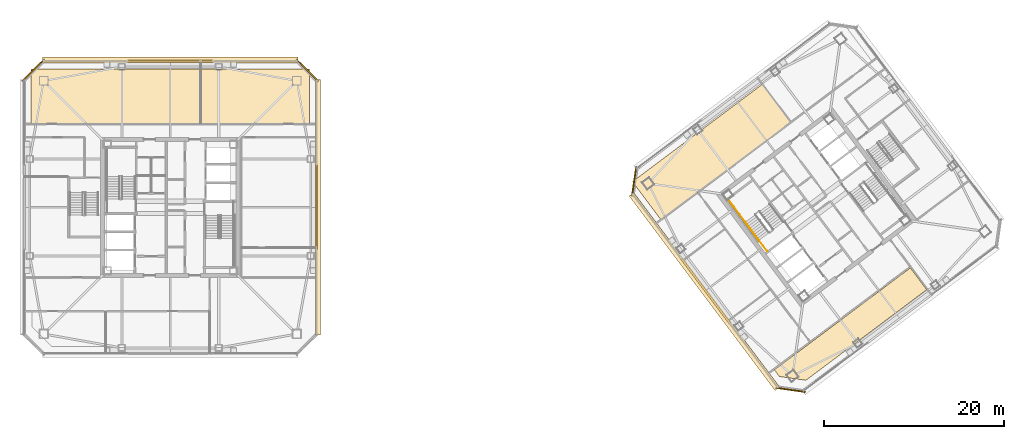
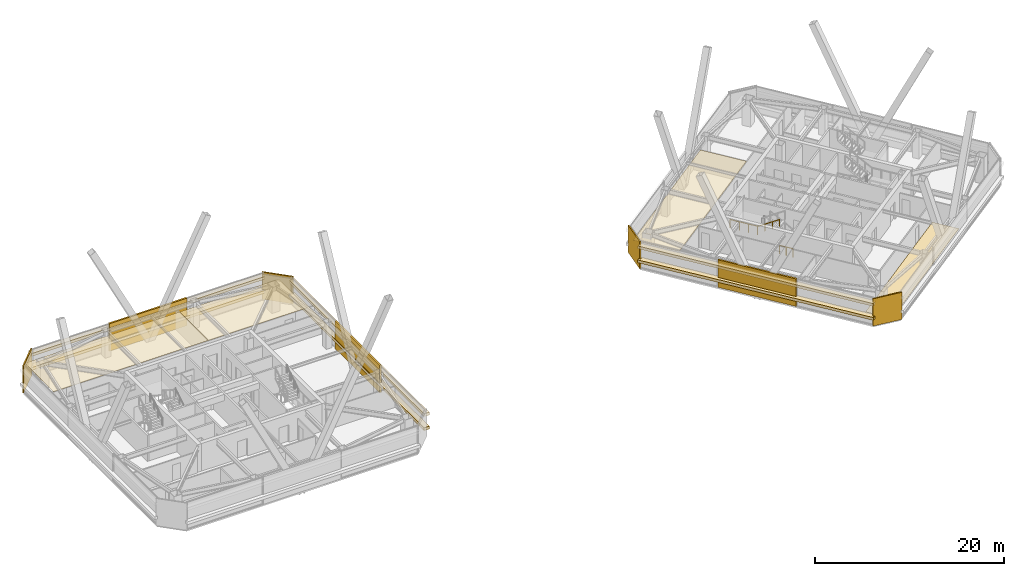
# One storey, part 44 of 47: 17 coverings, 3 railings.
"""IFC4 building model written with IfcOpenShell, lengths in metres."""

from ifc_helpers import new_model, si_unit, direction, frame, origin, origin_2d, place, context, subcontext, project, spatial, polyline, rectangle, outline, extrude, material, layer, layer_set, type_object, element, save


model = new_model("IFC4")

# Units and contexts
model_context = context("Model", 3, precision=1e-05, world=origin(), true_north=direction((0.0, 1.0)))
body_context = subcontext(model_context, "Body", "Model", "MODEL_VIEW")
ifc_project = project(units=[si_unit("LENGTHUNIT", "METRE"), si_unit("AREAUNIT", "SQUARE_METRE"), si_unit("VOLUMEUNIT", "CUBIC_METRE"), si_unit("PLANEANGLEUNIT", "RADIAN"), si_unit("MASSUNIT", "GRAM", prefix="KILO")], contexts=[model_context])

# Site, building, storey
site_placement = place(None, origin())
site = spatial("IfcSite", under=ifc_project, at=site_placement, CompositionType="ELEMENT")
building_placement = place(site_placement, origin())
building = spatial("IfcBuilding", under=site, at=building_placement, Name="Tashvorn Skyway Center", CompositionType="ELEMENT")
storey_placement = place(building_placement, frame((0.0, 0.0, 204.199951171875)))
storey = spatial("IfcBuildingStorey", under=building, at=storey_placement, Name="L55", CompositionType="ELEMENT", Elevation=204.199951171875)

# Coverings
ifc_material_1 = material(Name="Precast concrete C40/50", Category="concrete")
ifc_layer_1 = layer(ifc_material_1, 0.199951171875)
ifc_layer_set_1 = layer_set([ifc_layer_1], Name="Precast concrete C40/50")
covering_type_1 = type_object("IfcCoveringType", Name="COV-BRACE-CLAD", PredefinedType="CLADDING", material=ifc_layer_set_1)
for number, where, z_axis, x_axis, name in (
    (1, (42.0, 48.280029296875, 0.0), (0.0, 0.0, 1.0), (1.0, 0.0, 0.0), "Tower 1 L55 North Unitised Curtain Wall Mega-Brace Cladding Band 1"),
    (2, (58.280029296875, 32.0, 0.0), (0.0, 0.0, 1.0), (0.0, -1.0, 0.0), "Tower 1 L55 East Unitised Curtain Wall Mega-Brace Cladding Band 1"),
):
    element("IfcCovering", number, at=place(storey_placement, frame(where, z_axis=z_axis, x_axis=x_axis)), inside=storey, type_object=covering_type_1, Name=name, PredefinedType="CLADDING", context=body_context, shape_type="SweptSolid", body=[
        extrude(rectangle(XDim=9.453369140625, YDim=0.199951171875, at=origin_2d()), origin(), (0.0, 0.0, 1.0), 3.550048828125),
    ])
covering_1_placement = place(storey_placement, frame((101.615966796875, 22.7119140625, 0.0), z_axis=(0.0, 0.0, 1.0), x_axis=(-0.600000004945, 0.799999996291, 0.0)))
element("IfcCovering", 3, at=covering_1_placement, inside=storey, type_object=covering_type_1, Name="Tower 2 L55 West Unitised Curtain Wall Mega-Brace Cladding Band 1", PredefinedType="CLADDING", context=body_context, shape_type="SweptSolid", body=[
    extrude(rectangle(XDim=8.98681640625, YDim=0.199951171875, at=origin_2d()), origin(), (0.0, 0.0, 1.0), 3.550048828125),
])
ifc_material_2 = material(Name="Mineral-fibre acoustic ceiling tile on suspended grid")
ifc_layer_2 = layer(ifc_material_2, 0.02001953125)
ifc_layer_set_2 = layer_set([ifc_layer_2], Name="Mineral-fibre acoustic ceiling tile on suspended grid")
covering_type_2 = type_object("IfcCoveringType", Name="COV-CEIL-20", PredefinedType="CEILING", material=ifc_layer_set_2)
covering_2_placement = place(storey_placement, frame((0.0, 0.0, 2.703125)))
element("IfcCovering", 4, at=covering_2_placement, inside=storey, type_object=covering_type_2, Name="Tower 1 L55 Wellness Clinic Acoustic Ceiling", PredefinedType="CEILING", context=body_context, shape_type="SweptSolid", body=[
    extrude(outline(polyline([(26.5, 41.300048828125), (45.39990234375, 41.300048828125), (45.39990234375, 47.39990234375), (26.5, 47.39990234375), (26.5, 41.300048828125)])), origin(), (0.0, 0.0, 1.0), 0.02001953125),
])
covering_3_placement = place(storey_placement, frame((0.0, 0.0, 2.703125)))
element("IfcCovering", 5, at=covering_3_placement, inside=storey, type_object=covering_type_2, Name="Tower 1 L55 Wellness Clinic Acoustic Ceiling", PredefinedType="CEILING", context=body_context, shape_type="SweptSolid", body=[
    extrude(outline(polyline([(45.39990234375, 41.300048828125), (57.5, 41.300048828125), (57.5, 47.39990234375), (45.39990234375, 47.39990234375), (45.39990234375, 41.300048828125)])), origin(), (0.0, 0.0, 1.0), 0.02001953125),
])
covering_4_placement = place(storey_placement, frame((0.0, 0.0, 2.703125)))
element("IfcCovering", 6, at=covering_4_placement, inside=storey, type_object=covering_type_2, Name="Tower 2 L55 Wellness Clinic Acoustic Ceiling", PredefinedType="CEILING", context=body_context, shape_type="SweptSolid", body=[
    extrude(outline(polyline([(96.659912109375, 30.6201171875), (111.139892578125, 41.47998046875), (107.9599609375, 45.719970703125), (93.47998046875, 34.860107421875), (96.659912109375, 30.6201171875)])), origin(), (0.0, 0.0, 1.0), 0.02001953125),
])
ifc_material_3 = material(Name="Polished Mojave desert-aggregate terrazzo and cover plate")
ifc_layer_3 = layer(ifc_material_3, 0.0400390625)
ifc_layer_set_3 = layer_set([ifc_layer_3], Name="Polished Mojave desert-aggregate terrazzo and cover plate")
covering_type_3 = type_object("IfcCoveringType", Name="COV-FLR-40", PredefinedType="FLOORING", material=ifc_layer_set_3)
covering_5_placement = place(storey_placement, origin())
element("IfcCovering", 7, at=covering_5_placement, inside=storey, type_object=covering_type_3, Name="Tower 2 L55 Wellness Clinic Finish Flooring", PredefinedType="FLOORING", context=body_context, shape_type="SweptSolid", body=[
    extrude(outline(polyline([(112.820068359375, 12.739990234375), (109.85205078125, 13.1640625), (109.2939453125, 13.907958984375), (124.446044921875, 25.27197265625), (126.27587890625, 22.83203125), (112.820068359375, 12.739990234375)])), origin(), (0.0, 0.0, 1.0), 0.0400390625),
])
ifc_material_4 = material(Name="Perforated ceramic-coated bronze aluminium solar screen", Category="aluminium")
ifc_layer_4 = layer(ifc_material_4, 0.85009765625)
ifc_layer_set_4 = layer_set([ifc_layer_4], Name="Perforated ceramic-coated bronze aluminium solar screen")
covering_type_4 = type_object("IfcCoveringType", Name="COV-SOLAR-BAND", PredefinedType="CLADDING", material=ifc_layer_set_4)
for number, where, z_axis, x_axis, name in (
    (8, (42.0, 48.419921875, 0.919921875), (0.0, 0.0, 1.0), (1.0, 0.0, 0.0), "L55 Perforated Ceramic-Metal Solar Screen Louvre Band North 1"),
    (9, (42.0, 48.419921875, 2.72021484375), (0.0, 0.0, 1.0), (1.0, 0.0, 0.0), "L55 Perforated Ceramic-Metal Solar Screen Louvre Band North 2"),
    (10, (58.419921875, 32.0, 0.919921875), (0.0, 0.0, 1.0), (0.0, -1.0, 0.0), "L55 Perforated Ceramic-Metal Solar Screen Louvre Band East 1"),
    (11, (58.419921875, 32.0, 2.72021484375), (0.0, 0.0, 1.0), (0.0, -1.0, 0.0), "L55 Perforated Ceramic-Metal Solar Screen Louvre Band East 2"),
):
    element("IfcCovering", number, at=place(storey_placement, frame(where, z_axis=z_axis, x_axis=x_axis)), inside=storey, type_object=covering_type_4, Name=name, PredefinedType="CLADDING", context=body_context, shape_type="SweptSolid", body=[
        extrude(rectangle(XDim=28.47998046875, YDim=0.639892578125, at=origin_2d()), origin(), (0.0, 0.0, 1.0), 0.360107421875),
    ])
for number, where, z_axis, x_axis, name in (
    (12, (101.50390625, 22.6279296875, 0.919921875), (0.0, 0.0, 1.0), (-0.600000004945, 0.799999996291, 0.0), "L55 Perforated Ceramic-Metal Solar Screen Louvre Band West 1"),
    (13, (101.50390625, 22.6279296875, 2.72021484375), (0.0, 0.0, 1.0), (-0.600000004945, 0.799999996291, 0.0), "L55 Perforated Ceramic-Metal Solar Screen Louvre Band West 2"),
):
    element("IfcCovering", number, at=place(storey_placement, frame(where, z_axis=z_axis, x_axis=x_axis)), inside=storey, type_object=covering_type_4, Name=name, PredefinedType="CLADDING", context=body_context, shape_type="SweptSolid", body=[
        extrude(rectangle(XDim=27.080078125, YDim=0.639892578125, at=origin_2d()), origin(), (0.0, 0.0, 1.0), 0.360107421875),
    ])
ifc_layer_5 = layer(ifc_material_1, 0.35009765625)
ifc_layer_set_5 = layer_set([ifc_layer_5], Name="Precast concrete C40/50")
covering_type_5 = type_object("IfcCoveringType", Name="COV-STONE-TRIM", PredefinedType="CLADDING", material=ifc_layer_set_5)
for number, where, z_axis, x_axis, name in (
    (14, (26.72998046875, 47.27001953125, 0.02001953125), (0.0, 0.0, 1.0), (-0.707106781187, -0.707106781187, 0.0), "Tower 1 L55 NW Mojave Limestone Corner Quoin"),
    (15, (57.27001953125, 47.27001953125, 0.02001953125), (0.0, 0.0, 1.0), (0.707106781187, -0.707106781187, 0.0), "Tower 1 L55 NE Mojave Limestone Corner Quoin"),
):
    element("IfcCovering", number, at=place(storey_placement, frame(where, z_axis=z_axis, x_axis=x_axis)), inside=storey, type_object=covering_type_5, Name=name, PredefinedType="CLADDING", context=body_context, shape_type="SweptSolid", body=[
        extrude(rectangle(XDim=3.41259765625, YDim=0.139892578125, at=origin_2d()), origin(), (0.0, 0.0, 1.0), 3.510009765625),
    ])
for number, where, z_axis, x_axis, name in (
    (16, (111.095947265625, 11.672119140625, 0.02001953125), (0.0, 0.0, 1.0), (-0.989949494535, 0.141421350118, 0.0), "Tower 2 L55 SW Mojave Limestone Corner Quoin"),
    (17, (93.672119140625, 34.904052734375, 0.02001953125), (0.0, 0.0, 1.0), (-0.141421350118, -0.989949494535, 0.0), "Tower 2 L55 NW Mojave Limestone Corner Quoin"),
):
    element("IfcCovering", number, at=place(storey_placement, frame(where, z_axis=z_axis, x_axis=x_axis)), inside=storey, type_object=covering_type_5, Name=name, PredefinedType="CLADDING", context=body_context, shape_type="SweptSolid", body=[
        extrude(rectangle(XDim=3.271240234375, YDim=0.139892578125, at=origin_2d()), origin(), (0.0, 0.0, 1.0), 3.510009765625),
    ])

# Railings
ifc_material_5 = material(Name="Brushed stainless steel 316", Category="steel")
railing_type_1 = type_object("IfcRailingType", Name="RAIL-HAND-920", PredefinedType="HANDRAIL", material=ifc_material_5)
railing_1_placement = place(storey_placement, frame((106.072021484375, 30.35400390625, 1.95263671875)))
element("IfcRailing", 18, at=railing_1_placement, inside=storey, type_object=railing_type_1, Name="L55 ST-T2-1 stair handrail 2", PredefinedType="HANDRAIL", context=body_context, shape_type="SweptSolid", body=[
    extrude(rectangle(XDim=0.048095703125, YDim=0.048095703125, at=origin_2d()), frame((0.0, 0.0, 0.8759765625), z_axis=(0.506740800098, -0.675708949977, 0.535379469569), x_axis=(0.800023250257, 0.599968998406, 0.0)), (0.0, 0.0, 1.0), 2.983642578125),
    extrude(rectangle(XDim=0.0419921875, YDim=0.0419921875, at=origin_2d()), origin(), (0.0, 0.0, 1.0), 0.851806640625),
    extrude(rectangle(XDim=0.0419921875, YDim=0.0419921875, at=origin_2d()), frame((0.50390625, -0.672119140625, 0.532470703125)), (0.0, 0.0, 1.0), 0.851806640625),
    extrude(rectangle(XDim=0.0419921875, YDim=0.0419921875, at=origin_2d()), frame((1.008056640625, -1.343994140625, 1.06494140625)), (0.0, 0.0, 1.0), 0.851806640625),
    extrude(rectangle(XDim=0.0419921875, YDim=0.0419921875, at=origin_2d()), frame((1.511962890625, -2.01611328125, 1.597412109375)), (0.0, 0.0, 1.0), 0.851806640625),
])
ifc_material_6 = material(Name="Painted galvanized steel S355", Category="steel")
railing_type_2 = type_object("IfcRailingType", Name="RAIL-STGUARD-1100", PredefinedType="GUARDRAIL", material=ifc_material_6)
railing_2_placement = place(storey_placement, frame((106.072021484375, 30.35400390625, 1.775146484375)))
element("IfcRailing", 19, at=railing_2_placement, inside=storey, type_object=railing_type_2, Name="L55 ST-T2-1 stair guard 3", PredefinedType="GUARDRAIL", context=body_context, shape_type="SweptSolid", body=[
    extrude(rectangle(XDim=0.048095703125, YDim=0.048095703125, at=origin_2d()), frame((0.0, 0.0, 1.076171875), z_axis=(-0.599987638607, 0.800009270896, 0.0), x_axis=(-0.800009270896, -0.599987638607, 0.0)), (0.0, 0.0, 1.0), 3.16015625),
    extrude(rectangle(XDim=0.0419921875, YDim=0.0419921875, at=origin_2d()), origin(), (0.0, 0.0, 1.0), 1.052001953125),
    extrude(rectangle(XDim=0.0419921875, YDim=0.0419921875, at=origin_2d()), frame((-0.632080078125, 0.8427734375, 0.0)), (0.0, 0.0, 1.0), 1.052001953125),
    extrude(rectangle(XDim=0.0419921875, YDim=0.0419921875, at=origin_2d()), frame((-1.263916015625, 1.685302734375, 0.0)), (0.0, 0.0, 1.0), 1.052001953125),
    extrude(rectangle(XDim=0.0419921875, YDim=0.0419921875, at=origin_2d()), frame((-1.89599609375, 2.528076171875, 0.0)), (0.0, 0.0, 1.0), 1.052001953125),
])
railing_3_placement = place(storey_placement, frame((108.49609375, 27.1220703125, 0.0)))
element("IfcRailing", 20, at=railing_3_placement, inside=storey, type_object=railing_type_2, Name="L55 ST-T2-1 stair guard 6", PredefinedType="GUARDRAIL", context=body_context, shape_type="SweptSolid", body=[
    extrude(rectangle(XDim=0.048095703125, YDim=0.048095703125, at=origin_2d()), frame((0.0, 0.0, 1.076171875), z_axis=(-0.600102796382, 0.799922892393, 0.0), x_axis=(-0.799922892393, -0.600102796382, 0.0)), (0.0, 0.0, 1.0), 1.52001953125),
    extrude(rectangle(XDim=0.0419921875, YDim=0.0419921875, at=origin_2d()), origin(), (0.0, 0.0, 1.0), 1.052001953125),
    extrude(rectangle(XDim=0.0419921875, YDim=0.0419921875, at=origin_2d()), frame((-0.4560546875, 0.60791015625, 0.0)), (0.0, 0.0, 1.0), 1.052001953125),
    extrude(rectangle(XDim=0.0419921875, YDim=0.0419921875, at=origin_2d()), frame((-0.912109375, 1.2158203125, 0.0)), (0.0, 0.0, 1.0), 1.052001953125),
])

save(model, "model.ifc")
